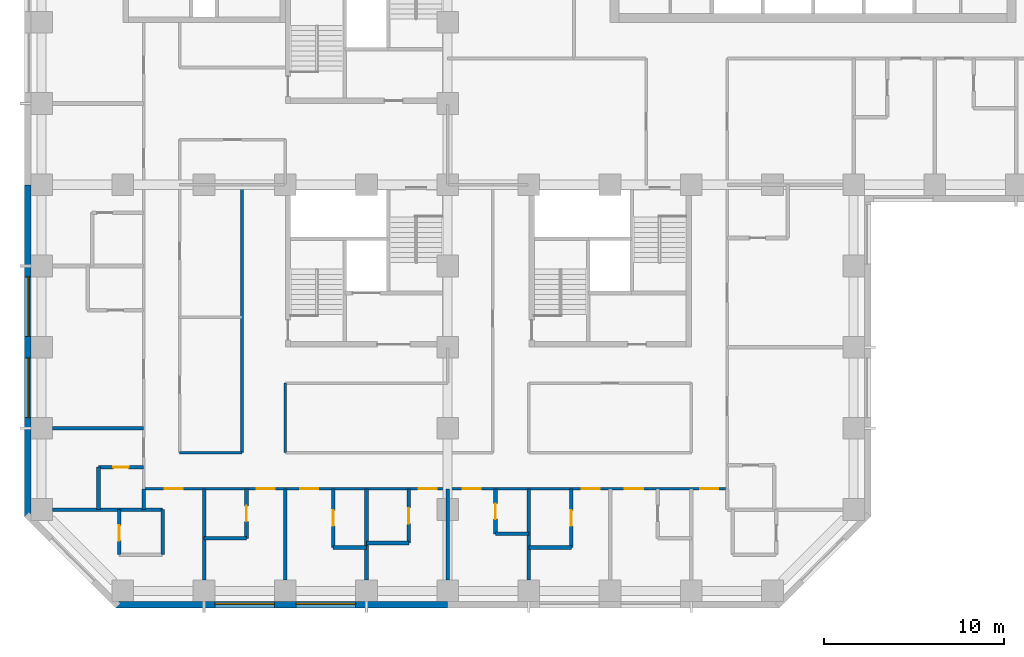
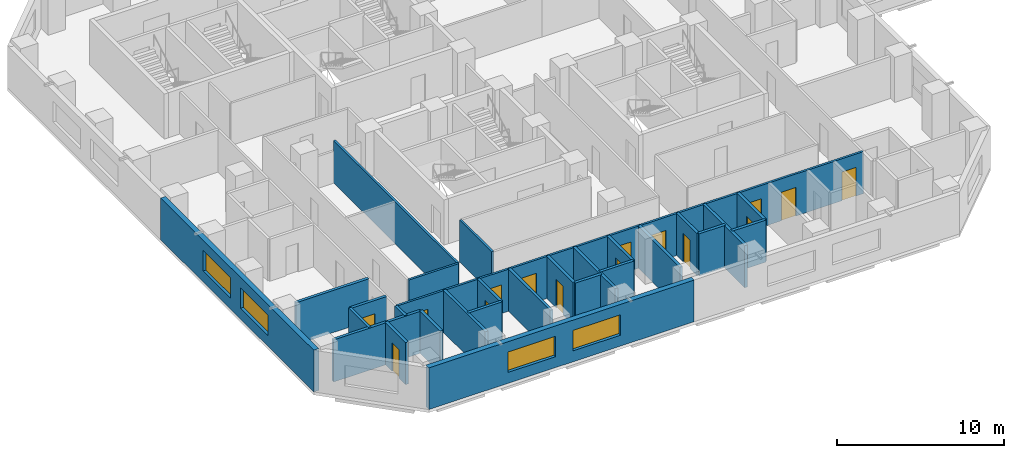
# One storey, part 3 of 13: 28 walls, 15 doors, 4 windows, 19 openings.
"""IFC4 building model written with IfcOpenShell, lengths in metres."""

from ifc_helpers import new_model, si_unit, direction, frame, frame_2d, origin, place, context, subcontext, project, spatial, rectangle, extrude, material, layer, layer_set, constituent, constituent_set, type_object, element, fill, save


model = new_model("IFC4")

# Units and contexts
model_context = context("Model", 3, precision=1e-05, world=origin(), true_north=direction((0.0, 1.0)))
body_context = subcontext(model_context, "Body", "Model", "MODEL_VIEW")
ifc_project = project(units=[si_unit("LENGTHUNIT", "METRE"), si_unit("AREAUNIT", "SQUARE_METRE"), si_unit("VOLUMEUNIT", "CUBIC_METRE"), si_unit("PLANEANGLEUNIT", "RADIAN"), si_unit("MASSUNIT", "GRAM", prefix="KILO")], contexts=[model_context])

# Site, building, storey
site_placement = place(None, origin())
site = spatial("IfcSite", under=ifc_project, at=site_placement, CompositionType="ELEMENT")
building_placement = place(site_placement, origin())
building = spatial("IfcBuilding", under=site, at=building_placement, Name="Quoin Convention Tower", CompositionType="ELEMENT")
storey_placement = place(building_placement, frame((0.0, 0.0, 49.5)))
storey = spatial("IfcBuildingStorey", under=building, at=storey_placement, Name="L12", CompositionType="ELEMENT", Elevation=49.5)

# Wall, openings, windows
ifc_material_1 = material(Name="Brick masonry", Category="masonry")
ifc_layer_1 = layer(ifc_material_1, 0.35009765625)
ifc_layer_set_1 = layer_set([ifc_layer_1], Name="Brick masonry")
wall_type_1 = type_object("IfcWallType", Name="Brick facade wall", PredefinedType="STANDARD", material=ifc_layer_set_1)
wall_1_placement = place(storey_placement, frame((17.6064453125, 17.22509765625, 0.0), z_axis=(0.0, 0.0, 1.0), x_axis=(1.0, 0.0, 0.0)))
wall_1 = element("IfcWall", 1, at=wall_1_placement, inside=storey, type_object=wall_type_1, Name="fw-L12-18000_18000", PredefinedType="STANDARD", context=body_context, shape_type="SweptSolid", body=[
    extrude(rectangle(XDim=18.3935546875, YDim=0.35009765625, at=frame_2d((9.19677734375, 0.0))), origin(), (0.0, 0.0, 1.0), 3.054931640625),
])
opening_1_placement = place(wall_1_placement, frame((5.493408203125, 0.0, 0.800048828125)))
opening_1 = element("IfcOpeningElement", 2, at=opening_1_placement, cuts=wall_1, Name="Opening W-01", PredefinedType="OPENING", context=body_context, shape_type="SweptSolid", body=[
    extrude(rectangle(XDim=3.300048828125, YDim=1.5, at=frame_2d((1.64990234375, 0.75))), frame((0.0, 0.18505859375, 0.0), z_axis=(0.0, -1.0, 0.0), x_axis=(1.0, 0.0, 0.0)), (0.0, 0.0, 1.0), 0.3701171875),
])
opening_2_placement = place(wall_1_placement, frame((9.993408203125, 0.0, 0.800048828125)))
opening_2 = element("IfcOpeningElement", 3, at=opening_2_placement, cuts=wall_1, Name="Opening W-01", PredefinedType="OPENING", context=body_context, shape_type="SweptSolid", body=[
    extrude(rectangle(XDim=3.300048828125, YDim=1.5, at=frame_2d((1.64990234375, 0.75))), frame((0.0, 0.18505859375, 0.0), z_axis=(0.0, -1.0, 0.0), x_axis=(1.0, 0.0, 0.0)), (0.0, 0.0, 1.0), 0.3701171875),
])
ifc_material_2 = material(Name="Aluminium", Category="aluminium")
ifc_constituent_1 = constituent(ifc_material_2, Name="Frame")
ifc_material_3 = material(Name="Insulated glass", Category="glass")
ifc_constituent_2 = constituent(ifc_material_3, Name="Glazing")
ifc_constituent_set = constituent_set(constituents=[ifc_constituent_1, ifc_constituent_2], Name="Aluminium")
window_type = type_object("IfcWindowType", Name="Hotel strip window", PartitioningType="DOUBLE_PANEL_VERTICAL", PredefinedType="WINDOW", material=ifc_constituent_set)
window_1_placement = place(opening_1_placement, origin())
window_1 = element("IfcWindow", 4, at=window_1_placement, inside=storey, type_object=window_type, Name="win-L12-24750_17225", OverallHeight=1.5, OverallWidth=3.300048828125, PartitioningType="SINGLE_PANEL", PredefinedType="WINDOW", context=body_context, shape_type="SweptSolid", body=[
    extrude(rectangle(XDim=3.300048828125, YDim=1.5, at=frame_2d((1.64990234375, 0.75))), frame((0.0, 0.0849609375, 0.0), z_axis=(0.0, -1.0, 0.0), x_axis=(1.0, 0.0, 0.0)), (0.0, 0.0, 1.0), 0.06005859375),
])
fill(opening_1, window_1)
window_2_placement = place(opening_2_placement, origin())
window_2 = element("IfcWindow", 5, at=window_2_placement, inside=storey, type_object=window_type, Name="win-L12-29250_17225", OverallHeight=1.5, OverallWidth=3.300048828125, PartitioningType="SINGLE_PANEL", PredefinedType="WINDOW", context=body_context, shape_type="SweptSolid", body=[
    extrude(rectangle(XDim=3.300048828125, YDim=1.5, at=frame_2d((1.64990234375, 0.75))), frame((0.0, 0.0849609375, 0.0), z_axis=(0.0, -1.0, 0.0), x_axis=(1.0, 0.0, 0.0)), (0.0, 0.0, 1.0), 0.06005859375),
])
fill(opening_2, window_2)

wall_2_placement = place(storey_placement, frame((12.72509765625, 40.5, 0.0), z_axis=(0.0, 0.0, 1.0), x_axis=(0.0, -1.0, 0.0)))
wall_2 = element("IfcWall", 6, at=wall_2_placement, inside=storey, type_object=wall_type_1, Name="fw-L12-13500_40500", PredefinedType="STANDARD", context=body_context, shape_type="SweptSolid", body=[
    extrude(rectangle(XDim=18.3935546875, YDim=0.35009765625, at=frame_2d((9.19677734375, 0.0))), origin(), (0.0, 0.0, 1.0), 3.054931640625),
])
opening_3_placement = place(wall_2_placement, frame((5.10009765625, 0.0, 0.800048828125)))
opening_3 = element("IfcOpeningElement", 7, at=opening_3_placement, cuts=wall_2, Name="Opening W-01", PredefinedType="OPENING", context=body_context, shape_type="SweptSolid", body=[
    extrude(rectangle(XDim=3.300048828125, YDim=1.5, at=frame_2d((1.64990234375, 0.75))), frame((0.0, 0.18505859375, 0.0), z_axis=(0.0, -1.0, 0.0), x_axis=(1.0, 0.0, 0.0)), (0.0, 0.0, 1.0), 0.3701171875),
])
opening_4_placement = place(wall_2_placement, frame((9.60009765625, 0.0, 0.800048828125)))
opening_4 = element("IfcOpeningElement", 8, at=opening_4_placement, cuts=wall_2, Name="Opening W-01", PredefinedType="OPENING", context=body_context, shape_type="SweptSolid", body=[
    extrude(rectangle(XDim=3.300048828125, YDim=1.5, at=frame_2d((1.64990234375, 0.75))), frame((0.0, 0.18505859375, 0.0), z_axis=(0.0, -1.0, 0.0), x_axis=(1.0, 0.0, 0.0)), (0.0, 0.0, 1.0), 0.3701171875),
])
window_3_placement = place(opening_3_placement, origin())
window_3 = element("IfcWindow", 9, at=window_3_placement, inside=storey, type_object=window_type, Name="win-L12-12725_33750", OverallHeight=1.5, OverallWidth=3.300048828125, PartitioningType="SINGLE_PANEL", PredefinedType="WINDOW", context=body_context, shape_type="SweptSolid", body=[
    extrude(rectangle(XDim=3.300048828125, YDim=1.5, at=frame_2d((1.64990234375, 0.75))), frame((0.0, 0.0849609375, 0.0), z_axis=(0.0, -1.0, 0.0), x_axis=(1.0, 0.0, 0.0)), (0.0, 0.0, 1.0), 0.06005859375),
])
fill(opening_3, window_3)
window_4_placement = place(opening_4_placement, origin())
window_4 = element("IfcWindow", 10, at=window_4_placement, inside=storey, type_object=window_type, Name="win-L12-12725_29250", OverallHeight=1.5, OverallWidth=3.300048828125, PartitioningType="SINGLE_PANEL", PredefinedType="WINDOW", context=body_context, shape_type="SweptSolid", body=[
    extrude(rectangle(XDim=3.300048828125, YDim=1.5, at=frame_2d((1.64990234375, 0.75))), frame((0.0, 0.0849609375, 0.0), z_axis=(0.0, -1.0, 0.0), x_axis=(1.0, 0.0, 0.0)), (0.0, 0.0, 1.0), 0.06005859375),
])
fill(opening_4, window_4)

# Walls
ifc_material_4 = material(Name="Concrete C50", Category="concrete")
ifc_layer_2 = layer(ifc_material_4, 0.199951171875)
ifc_layer_set_2 = layer_set([ifc_layer_2], Name="Concrete C50")
wall_type_2 = type_object("IfcWallType", Name="RC party wall", PredefinedType="SOLIDWALL", material=ifc_layer_set_2)
for number, where, z_axis, x_axis, name in (
    (11, (22.5, 18.60009765625, 0.0), (0.0, 0.0, 1.0), (0.0, 1.0, 0.0), "pw-L12-037"),
    (12, (27.0, 18.60009765625, 0.0), (0.0, 0.0, 1.0), (0.0, 1.0, 0.0), "pw-L12-038"),
    (13, (31.5, 18.60009765625, 0.0), (0.0, 0.0, 1.0), (0.0, 1.0, 0.0), "pw-L12-039"),
    (14, (36.0, 18.60009765625, 0.0), (0.0, 0.0, 1.0), (0.0, 1.0, 0.0), "pw-L12-040"),
    (15, (40.5, 18.60009765625, 0.0), (0.0, 0.0, 1.0), (0.0, 1.0, 0.0), "pw-L12-041"),
):
    element("IfcWall", number, at=place(storey_placement, frame(where, z_axis=z_axis, x_axis=x_axis)), inside=storey, type_object=wall_type_2, Name=name, PredefinedType="SOLIDWALL", context=body_context, shape_type="SweptSolid", body=[
        extrude(rectangle(XDim=5.0498046875, YDim=0.199951171875, at=frame_2d((2.52490234375, 0.0))), origin(), (0.0, 0.0, 1.0), 3.080078125),
    ])

# Wall, opening, door
wall_3_placement = place(storey_placement, frame((17.800048828125, 20.0, 0.0), z_axis=(0.0, 0.0, 1.0), x_axis=(0.0, 1.0, 0.0)))
wall_3 = element("IfcWall", 16, at=wall_3_placement, inside=storey, type_object=wall_type_2, Name="pw-L12-045", PredefinedType="SOLIDWALL", context=body_context, shape_type="SweptSolid", body=[
    extrude(rectangle(XDim=2.5, YDim=0.199951171875, at=frame_2d((1.25, 0.0))), origin(), (0.0, 0.0, 1.0), 3.080078125),
])
opening_5_placement = place(wall_3_placement, frame((0.77490234375, 0.0, 0.0)))
opening_5 = element("IfcOpeningElement", 17, at=opening_5_placement, cuts=wall_3, Name="Opening DHOTEL-A-39", PredefinedType="OPENING", context=body_context, shape_type="SweptSolid", body=[
    extrude(rectangle(XDim=0.85009765625, YDim=2.10009765625, at=frame_2d((0.425048828125, 1.050048828125))), frame((0.0, 0.10986328125, 0.0), z_axis=(0.0, -1.0, 0.0), x_axis=(1.0, 0.0, 0.0)), (0.0, 0.0, 1.0), 0.219970703125),
])
ifc_material_5 = material(Name="Steel door leaf", Category="steel")
door_type_1 = type_object("IfcDoorType", Name="Bathroom door", OperationType="SINGLE_SWING_LEFT", PredefinedType="DOOR", material=ifc_material_5)
door_1_placement = place(opening_5_placement, origin())
door_1 = element("IfcDoor", 18, at=door_1_placement, inside=storey, type_object=door_type_1, Name="dr-L12-054", OperationType="SINGLE_SWING_RIGHT", OverallHeight=2.10009765625, OverallWidth=0.85009765625, PredefinedType="DOOR", context=body_context, shape_type="SweptSolid", body=[
    extrude(rectangle(XDim=0.85009765625, YDim=2.10009765625, at=frame_2d((0.425048828125, 1.050048828125))), frame((0.0, 0.02490234375, 0.0), z_axis=(0.0, -1.0, 0.0), x_axis=(1.0, 0.0, 0.0)), (0.0, 0.0, 1.0), 0.050048828125),
])
fill(opening_5, door_1)

# Walls
wall_4_placement = place(storey_placement, frame((20.199951171875, 20.0, 0.0), z_axis=(0.0, 0.0, 1.0), x_axis=(0.0, 1.0, 0.0)))
element("IfcWall", 19, at=wall_4_placement, inside=storey, type_object=wall_type_2, Name="pw-L12-046", PredefinedType="SOLIDWALL", context=body_context, shape_type="SweptSolid", body=[
    extrude(rectangle(XDim=2.5, YDim=0.199951171875, at=frame_2d((1.25, 0.0))), origin(), (0.0, 0.0, 1.0), 3.080078125),
])
wall_5_placement = place(storey_placement, frame((29.64990234375, 20.39990234375, 0.0), z_axis=(0.0, 0.0, 1.0), x_axis=(1.0, 0.0, 0.0)))
element("IfcWall", 20, at=wall_5_placement, inside=storey, type_object=wall_type_2, Name="pw-L12-050", PredefinedType="SOLIDWALL", context=body_context, shape_type="SweptSolid", body=[
    extrude(rectangle(XDim=1.85009765625, YDim=0.199951171875, at=frame_2d((0.925048828125, 0.0))), origin(), (0.0, 0.0, 1.0), 3.080078125),
])

# Wall, opening, door
wall_6_placement = place(storey_placement, frame((29.64990234375, 20.39990234375, 0.0), z_axis=(0.0, 0.0, 1.0), x_axis=(0.0, 1.0, 0.0)))
wall_6 = element("IfcWall", 21, at=wall_6_placement, inside=storey, type_object=wall_type_2, Name="pw-L12-051", PredefinedType="SOLIDWALL", context=body_context, shape_type="SweptSolid", body=[
    extrude(rectangle(XDim=3.25, YDim=0.199951171875, at=frame_2d((1.625, 0.0))), origin(), (0.0, 0.0, 1.0), 3.080078125),
])
opening_6_placement = place(wall_6_placement, frame((1.199951171875, 0.0, 0.0)))
opening_6 = element("IfcOpeningElement", 22, at=opening_6_placement, cuts=wall_6, Name="Opening DHOTEL-A-41", PredefinedType="OPENING", context=body_context, shape_type="SweptSolid", body=[
    extrude(rectangle(XDim=0.85009765625, YDim=2.10009765625, at=frame_2d((0.425048828125, 1.050048828125))), frame((0.0, 0.10986328125, 0.0), z_axis=(0.0, -1.0, 0.0), x_axis=(1.0, 0.0, 0.0)), (0.0, 0.0, 1.0), 0.219970703125),
])
door_2_placement = place(opening_6_placement, origin())
door_2 = element("IfcDoor", 23, at=door_2_placement, inside=storey, type_object=door_type_1, Name="dr-L12-004", OperationType="SINGLE_SWING_RIGHT", OverallHeight=2.10009765625, OverallWidth=0.85009765625, PredefinedType="DOOR", context=body_context, shape_type="SweptSolid", body=[
    extrude(rectangle(XDim=0.85009765625, YDim=2.10009765625, at=frame_2d((0.425048828125, 1.050048828125))), frame((0.0, 0.02490234375, 0.0), z_axis=(0.0, -1.0, 0.0), x_axis=(1.0, 0.0, 0.0)), (0.0, 0.0, 1.0), 0.050048828125),
])
fill(opening_6, door_2)

# Wall
wall_7_placement = place(storey_placement, frame((40.5, 20.39990234375, 0.0), z_axis=(0.0, 0.0, 1.0), x_axis=(1.0, 0.0, 0.0)))
element("IfcWall", 24, at=wall_7_placement, inside=storey, type_object=wall_type_2, Name="pw-L12-052", PredefinedType="SOLIDWALL", context=body_context, shape_type="SweptSolid", body=[
    extrude(rectangle(XDim=2.35009765625, YDim=0.199951171875, at=frame_2d((1.175048828125, 0.0))), origin(), (0.0, 0.0, 1.0), 3.080078125),
])

# Wall, opening, door
wall_8_placement = place(storey_placement, frame((42.85009765625, 20.39990234375, 0.0), z_axis=(0.0, 0.0, 1.0), x_axis=(0.0, 1.0, 0.0)))
wall_8 = element("IfcWall", 25, at=wall_8_placement, inside=storey, type_object=wall_type_2, Name="pw-L12-053", PredefinedType="SOLIDWALL", context=body_context, shape_type="SweptSolid", body=[
    extrude(rectangle(XDim=3.25, YDim=0.199951171875, at=frame_2d((1.625, 0.0))), origin(), (0.0, 0.0, 1.0), 3.080078125),
])
opening_7_placement = place(wall_8_placement, frame((1.199951171875, 0.0, 0.0)))
opening_7 = element("IfcOpeningElement", 26, at=opening_7_placement, cuts=wall_8, Name="Opening DHOTEL-A-42", PredefinedType="OPENING", context=body_context, shape_type="SweptSolid", body=[
    extrude(rectangle(XDim=0.85009765625, YDim=2.10009765625, at=frame_2d((0.425048828125, 1.050048828125))), frame((0.0, 0.10986328125, 0.0), z_axis=(0.0, -1.0, 0.0), x_axis=(1.0, 0.0, 0.0)), (0.0, 0.0, 1.0), 0.219970703125),
])
door_3_placement = place(opening_7_placement, frame((0.85009765625, 0.0, 0.0), z_axis=(0.0, 0.0, 1.0), x_axis=(-1.0, 0.0, 0.0)))
door_3 = element("IfcDoor", 27, at=door_3_placement, inside=storey, type_object=door_type_1, Name="dr-L12-010", OperationType="SINGLE_SWING_LEFT", OverallHeight=2.10009765625, OverallWidth=0.85009765625, PredefinedType="DOOR", context=body_context, shape_type="SweptSolid", body=[
    extrude(rectangle(XDim=0.85009765625, YDim=2.10009765625, at=frame_2d((0.425048828125, 1.050048828125))), frame((0.0, 0.02490234375, 0.0), z_axis=(0.0, -1.0, 0.0), x_axis=(1.0, 0.0, 0.0)), (0.0, 0.0, 1.0), 0.050048828125),
])
fill(opening_7, door_3)

# Wall
wall_9_placement = place(storey_placement, frame((31.5, 20.64990234375, 0.0), z_axis=(0.0, 0.0, 1.0), x_axis=(1.0, 0.0, 0.0)))
element("IfcWall", 28, at=wall_9_placement, inside=storey, type_object=wall_type_2, Name="pw-L12-054", PredefinedType="SOLIDWALL", context=body_context, shape_type="SweptSolid", body=[
    extrude(rectangle(XDim=2.35009765625, YDim=0.199951171875, at=frame_2d((1.175048828125, 0.0))), origin(), (0.0, 0.0, 1.0), 3.080078125),
])

# Wall, opening, door
wall_10_placement = place(storey_placement, frame((33.85009765625, 20.64990234375, 0.0), z_axis=(0.0, 0.0, 1.0), x_axis=(0.0, 1.0, 0.0)))
wall_10 = element("IfcWall", 29, at=wall_10_placement, inside=storey, type_object=wall_type_2, Name="pw-L12-055", PredefinedType="SOLIDWALL", context=body_context, shape_type="SweptSolid", body=[
    extrude(rectangle(XDim=3.0, YDim=0.199951171875, at=frame_2d((1.5, 0.0))), origin(), (0.0, 0.0, 1.0), 3.080078125),
])
opening_8_placement = place(wall_10_placement, frame((1.074951171875, 0.0, 0.0)))
opening_8 = element("IfcOpeningElement", 30, at=opening_8_placement, cuts=wall_10, Name="Opening DHOTEL-A-43", PredefinedType="OPENING", context=body_context, shape_type="SweptSolid", body=[
    extrude(rectangle(XDim=0.85009765625, YDim=2.10009765625, at=frame_2d((0.425048828125, 1.050048828125))), frame((0.0, 0.10986328125, 0.0), z_axis=(0.0, -1.0, 0.0), x_axis=(1.0, 0.0, 0.0)), (0.0, 0.0, 1.0), 0.219970703125),
])
door_4_placement = place(opening_8_placement, frame((0.85009765625, 0.0, 0.0), z_axis=(0.0, 0.0, 1.0), x_axis=(-1.0, 0.0, 0.0)))
door_4 = element("IfcDoor", 31, at=door_4_placement, inside=storey, type_object=door_type_1, Name="dr-L12-006", OperationType="SINGLE_SWING_LEFT", OverallHeight=2.10009765625, OverallWidth=0.85009765625, PredefinedType="DOOR", context=body_context, shape_type="SweptSolid", body=[
    extrude(rectangle(XDim=0.85009765625, YDim=2.10009765625, at=frame_2d((0.425048828125, 1.050048828125))), frame((0.0, 0.02490234375, 0.0), z_axis=(0.0, -1.0, 0.0), x_axis=(1.0, 0.0, 0.0)), (0.0, 0.0, 1.0), 0.050048828125),
])
fill(opening_8, door_4)

# Wall
wall_11_placement = place(storey_placement, frame((22.5, 20.89990234375, 0.0), z_axis=(0.0, 0.0, 1.0), x_axis=(1.0, 0.0, 0.0)))
element("IfcWall", 32, at=wall_11_placement, inside=storey, type_object=wall_type_2, Name="pw-L12-056", PredefinedType="SOLIDWALL", context=body_context, shape_type="SweptSolid", body=[
    extrude(rectangle(XDim=2.35009765625, YDim=0.199951171875, at=frame_2d((1.175048828125, 0.0))), origin(), (0.0, 0.0, 1.0), 3.080078125),
])

# Wall, opening, door
wall_12_placement = place(storey_placement, frame((24.85009765625, 20.89990234375, 0.0), z_axis=(0.0, 0.0, 1.0), x_axis=(0.0, 1.0, 0.0)))
wall_12 = element("IfcWall", 33, at=wall_12_placement, inside=storey, type_object=wall_type_2, Name="pw-L12-057", PredefinedType="SOLIDWALL", context=body_context, shape_type="SweptSolid", body=[
    extrude(rectangle(XDim=2.75, YDim=0.199951171875, at=frame_2d((1.375, 0.0))), origin(), (0.0, 0.0, 1.0), 3.080078125),
])
opening_9_placement = place(wall_12_placement, frame((0.949951171875, 0.0, 0.0)))
opening_9 = element("IfcOpeningElement", 34, at=opening_9_placement, cuts=wall_12, Name="Opening DHOTEL-A-44", PredefinedType="OPENING", context=body_context, shape_type="SweptSolid", body=[
    extrude(rectangle(XDim=0.85009765625, YDim=2.10009765625, at=frame_2d((0.425048828125, 1.050048828125))), frame((0.0, 0.10986328125, 0.0), z_axis=(0.0, -1.0, 0.0), x_axis=(1.0, 0.0, 0.0)), (0.0, 0.0, 1.0), 0.219970703125),
])
door_5_placement = place(opening_9_placement, frame((0.85009765625, 0.0, 0.0), z_axis=(0.0, 0.0, 1.0), x_axis=(-1.0, 0.0, 0.0)))
door_5 = element("IfcDoor", 35, at=door_5_placement, inside=storey, type_object=door_type_1, Name="dr-L12-002", OperationType="SINGLE_SWING_LEFT", OverallHeight=2.10009765625, OverallWidth=0.85009765625, PredefinedType="DOOR", context=body_context, shape_type="SweptSolid", body=[
    extrude(rectangle(XDim=0.85009765625, YDim=2.10009765625, at=frame_2d((0.425048828125, 1.050048828125))), frame((0.0, 0.02490234375, 0.0), z_axis=(0.0, -1.0, 0.0), x_axis=(1.0, 0.0, 0.0)), (0.0, 0.0, 1.0), 0.050048828125),
])
fill(opening_9, door_5)

# Wall
wall_13_placement = place(storey_placement, frame((38.64990234375, 21.14990234375, 0.0), z_axis=(0.0, 0.0, 1.0), x_axis=(1.0, 0.0, 0.0)))
element("IfcWall", 36, at=wall_13_placement, inside=storey, type_object=wall_type_2, Name="pw-L12-060", PredefinedType="SOLIDWALL", context=body_context, shape_type="SweptSolid", body=[
    extrude(rectangle(XDim=1.85009765625, YDim=0.199951171875, at=frame_2d((0.925048828125, 0.0))), origin(), (0.0, 0.0, 1.0), 3.080078125),
])

# Wall, opening, door
wall_14_placement = place(storey_placement, frame((38.64990234375, 21.14990234375, 0.0), z_axis=(0.0, 0.0, 1.0), x_axis=(0.0, 1.0, 0.0)))
wall_14 = element("IfcWall", 37, at=wall_14_placement, inside=storey, type_object=wall_type_2, Name="pw-L12-061", PredefinedType="SOLIDWALL", context=body_context, shape_type="SweptSolid", body=[
    extrude(rectangle(XDim=2.5, YDim=0.199951171875, at=frame_2d((1.25, 0.0))), origin(), (0.0, 0.0, 1.0), 3.080078125),
])
opening_10_placement = place(wall_14_placement, frame((0.824951171875, 0.0, 0.0)))
opening_10 = element("IfcOpeningElement", 38, at=opening_10_placement, cuts=wall_14, Name="Opening DHOTEL-A-46", PredefinedType="OPENING", context=body_context, shape_type="SweptSolid", body=[
    extrude(rectangle(XDim=0.85009765625, YDim=2.10009765625, at=frame_2d((0.425048828125, 1.050048828125))), frame((0.0, 0.10986328125, 0.0), z_axis=(0.0, -1.0, 0.0), x_axis=(1.0, 0.0, 0.0)), (0.0, 0.0, 1.0), 0.219970703125),
])
door_6_placement = place(opening_10_placement, origin())
door_6 = element("IfcDoor", 39, at=door_6_placement, inside=storey, type_object=door_type_1, Name="dr-L12-008", OperationType="SINGLE_SWING_RIGHT", OverallHeight=2.10009765625, OverallWidth=0.85009765625, PredefinedType="DOOR", context=body_context, shape_type="SweptSolid", body=[
    extrude(rectangle(XDim=0.85009765625, YDim=2.10009765625, at=frame_2d((0.425048828125, 1.050048828125))), frame((0.0, 0.02490234375, 0.0), z_axis=(0.0, -1.0, 0.0), x_axis=(1.0, 0.0, 0.0)), (0.0, 0.0, 1.0), 0.050048828125),
])
fill(opening_10, door_6)

# Walls
wall_15_placement = place(storey_placement, frame((14.10009765625, 22.5, 0.0), z_axis=(0.0, 0.0, 1.0), x_axis=(1.0, 0.0, 0.0)))
element("IfcWall", 40, at=wall_15_placement, inside=storey, type_object=wall_type_2, Name="pw-L12-062", PredefinedType="SOLIDWALL", context=body_context, shape_type="SweptSolid", body=[
    extrude(rectangle(XDim=6.099853515625, YDim=0.199951171875, at=frame_2d((3.0498046875, 0.0))), origin(), (0.0, 0.0, 1.0), 3.080078125),
])
wall_16_placement = place(storey_placement, frame((16.64990234375, 22.5, 0.0), z_axis=(0.0, 0.0, 1.0), x_axis=(0.0, 1.0, 0.0)))
element("IfcWall", 41, at=wall_16_placement, inside=storey, type_object=wall_type_2, Name="pw-L12-063", PredefinedType="SOLIDWALL", context=body_context, shape_type="SweptSolid", body=[
    extrude(rectangle(XDim=2.35009765625, YDim=0.199951171875, at=frame_2d((1.175048828125, 0.0))), origin(), (0.0, 0.0, 1.0), 3.080078125),
])
wall_17_placement = place(storey_placement, frame((19.14990234375, 22.5, 0.0), z_axis=(0.0, 0.0, 1.0), x_axis=(0.0, 1.0, 0.0)))
element("IfcWall", 42, at=wall_17_placement, inside=storey, type_object=wall_type_2, Name="pw-L12-064", PredefinedType="SOLIDWALL", context=body_context, shape_type="SweptSolid", body=[
    extrude(rectangle(XDim=1.14990234375, YDim=0.199951171875, at=frame_2d((0.574951171875, 0.0))), origin(), (0.0, 0.0, 1.0), 3.080078125),
])

# Wall, opening, door
wall_18_placement = place(storey_placement, frame((16.64990234375, 24.85009765625, 0.0), z_axis=(0.0, 0.0, 1.0), x_axis=(1.0, 0.0, 0.0)))
wall_18 = element("IfcWall", 43, at=wall_18_placement, inside=storey, type_object=wall_type_2, Name="pw-L12-068", PredefinedType="SOLIDWALL", context=body_context, shape_type="SweptSolid", body=[
    extrude(rectangle(XDim=2.5, YDim=0.199951171875, at=frame_2d((1.25, 0.0))), origin(), (0.0, 0.0, 1.0), 3.080078125),
])
opening_11_placement = place(wall_18_placement, frame((0.824951171875, 0.0, 0.0)))
opening_11 = element("IfcOpeningElement", 44, at=opening_11_placement, cuts=wall_18, Name="Opening DHOTEL-A-47", PredefinedType="OPENING", context=body_context, shape_type="SweptSolid", body=[
    extrude(rectangle(XDim=0.85009765625, YDim=2.10009765625, at=frame_2d((0.425048828125, 1.050048828125))), frame((0.0, 0.10986328125, 0.0), z_axis=(0.0, -1.0, 0.0), x_axis=(1.0, 0.0, 0.0)), (0.0, 0.0, 1.0), 0.219970703125),
])
door_7_placement = place(opening_11_placement, frame((0.85009765625, 0.0, 0.0), z_axis=(0.0, 0.0, 1.0), x_axis=(-1.0, 0.0, 0.0)))
door_7 = element("IfcDoor", 45, at=door_7_placement, inside=storey, type_object=door_type_1, Name="dr-L12-014", OperationType="SINGLE_SWING_LEFT", OverallHeight=2.10009765625, OverallWidth=0.85009765625, PredefinedType="DOOR", context=body_context, shape_type="SweptSolid", body=[
    extrude(rectangle(XDim=0.85009765625, YDim=2.10009765625, at=frame_2d((0.425048828125, 1.050048828125))), frame((0.0, 0.02490234375, 0.0), z_axis=(0.0, -1.0, 0.0), x_axis=(1.0, 0.0, 0.0)), (0.0, 0.0, 1.0), 0.050048828125),
])
fill(opening_11, door_7)

# Wall
wall_19_placement = place(storey_placement, frame((14.10009765625, 27.0, 0.0), z_axis=(0.0, 0.0, 1.0), x_axis=(1.0, 0.0, 0.0)))
element("IfcWall", 46, at=wall_19_placement, inside=storey, type_object=wall_type_2, Name="pw-L12-070", PredefinedType="SOLIDWALL", context=body_context, shape_type="SweptSolid", body=[
    extrude(rectangle(XDim=5.0498046875, YDim=0.199951171875, at=frame_2d((2.52490234375, 0.0))), origin(), (0.0, 0.0, 1.0), 3.080078125),
])

# Wall, openings, doors
ifc_material_6 = material(Name="Plasterboard")
ifc_layer_3 = layer(ifc_material_6, 0.012451171875, Name="Finish")
ifc_material_7 = material(Name="Steel stud framing", Category="steel")
ifc_layer_4 = layer(ifc_material_7, 0.125, Name="Structure")
ifc_layer_5 = layer(ifc_material_6, 0.012451171875, Name="Finish")
ifc_layer_set_3 = layer_set([ifc_layer_3, ifc_layer_4, ifc_layer_5], Name="Steel stud framing")
wall_type_3 = type_object("IfcWallType", Name="corridor partition", PredefinedType="PARTITIONING", material=ifc_layer_set_3)
wall_20_placement = place(storey_placement, frame((19.14990234375, 23.64990234375, 0.0), z_axis=(0.0, 0.0, 1.0), x_axis=(1.0, 0.0, 0.0)))
wall_20 = element("IfcWall", 47, at=wall_20_placement, inside=storey, type_object=wall_type_3, Name="pw-L12-005", PredefinedType="PARTITIONING", context=body_context, shape_type="SweptSolid", body=[
    extrude(rectangle(XDim=32.35009765625, YDim=0.14990234375, at=frame_2d((16.175048828125, 0.0))), origin(), (0.0, 0.0, 1.0), 3.080078125),
])
opening_12_placement = place(wall_20_placement, frame((6.27490234375, 0.0, 0.0)))
opening_12 = element("IfcOpeningElement", 48, at=opening_12_placement, cuts=wall_20, Name="Opening DHOTEL-A-02", PredefinedType="OPENING", context=body_context, shape_type="SweptSolid", body=[
    extrude(rectangle(XDim=1.0, YDim=2.10009765625, at=frame_2d((0.5, 1.050048828125))), frame((0.0, 0.0849609375, 0.0), z_axis=(0.0, -1.0, 0.0), x_axis=(1.0, 0.0, 0.0)), (0.0, 0.0, 1.0), 0.169921875),
])
opening_13_placement = place(wall_20_placement, frame((8.675048828125, 0.0, 0.0)))
opening_13 = element("IfcOpeningElement", 49, at=opening_13_placement, cuts=wall_20, Name="Opening DHOTEL-A-03", PredefinedType="OPENING", context=body_context, shape_type="SweptSolid", body=[
    extrude(rectangle(XDim=1.0, YDim=2.10009765625, at=frame_2d((0.5, 1.050048828125))), frame((0.0, 0.0849609375, 0.0), z_axis=(0.0, -1.0, 0.0), x_axis=(1.0, 0.0, 0.0)), (0.0, 0.0, 1.0), 0.169921875),
])
opening_14_placement = place(wall_20_placement, frame((15.25, 0.0, 0.0)))
opening_14 = element("IfcOpeningElement", 50, at=opening_14_placement, cuts=wall_20, Name="Opening DHOTEL-A-04", PredefinedType="OPENING", context=body_context, shape_type="SweptSolid", body=[
    extrude(rectangle(XDim=1.0, YDim=2.10009765625, at=frame_2d((0.5, 1.050048828125))), frame((0.0, 0.0849609375, 0.0), z_axis=(0.0, -1.0, 0.0), x_axis=(1.0, 0.0, 0.0)), (0.0, 0.0, 1.0), 0.169921875),
])
opening_15_placement = place(wall_20_placement, frame((17.675048828125, 0.0, 0.0)))
opening_15 = element("IfcOpeningElement", 51, at=opening_15_placement, cuts=wall_20, Name="Opening DHOTEL-A-05", PredefinedType="OPENING", context=body_context, shape_type="SweptSolid", body=[
    extrude(rectangle(XDim=1.0, YDim=2.10009765625, at=frame_2d((0.5, 1.050048828125))), frame((0.0, 0.0849609375, 0.0), z_axis=(0.0, -1.0, 0.0), x_axis=(1.0, 0.0, 0.0)), (0.0, 0.0, 1.0), 0.169921875),
])
opening_16_placement = place(wall_20_placement, frame((24.27490234375, 0.0, 0.0)))
opening_16 = element("IfcOpeningElement", 52, at=opening_16_placement, cuts=wall_20, Name="Opening DHOTEL-A-06", PredefinedType="OPENING", context=body_context, shape_type="SweptSolid", body=[
    extrude(rectangle(XDim=1.0, YDim=2.10009765625, at=frame_2d((0.5, 1.050048828125))), frame((0.0, 0.0849609375, 0.0), z_axis=(0.0, -1.0, 0.0), x_axis=(1.0, 0.0, 0.0)), (0.0, 0.0, 1.0), 0.169921875),
])
opening_17_placement = place(wall_20_placement, frame((26.675048828125, 0.0, 0.0)))
opening_17 = element("IfcOpeningElement", 53, at=opening_17_placement, cuts=wall_20, Name="Opening DHOTEL-A-07", PredefinedType="OPENING", context=body_context, shape_type="SweptSolid", body=[
    extrude(rectangle(XDim=1.0, YDim=2.10009765625, at=frame_2d((0.5, 1.050048828125))), frame((0.0, 0.0849609375, 0.0), z_axis=(0.0, -1.0, 0.0), x_axis=(1.0, 0.0, 0.0)), (0.0, 0.0, 1.0), 0.169921875),
])
opening_18_placement = place(wall_20_placement, frame((1.175048828125, 0.0, 0.0)))
opening_18 = element("IfcOpeningElement", 54, at=opening_18_placement, cuts=wall_20, Name="Opening DHOTEL-A-01", PredefinedType="OPENING", context=body_context, shape_type="SweptSolid", body=[
    extrude(rectangle(XDim=1.0, YDim=2.10009765625, at=frame_2d((0.5, 1.050048828125))), frame((0.0, 0.0849609375, 0.0), z_axis=(0.0, -1.0, 0.0), x_axis=(1.0, 0.0, 0.0)), (0.0, 0.0, 1.0), 0.169921875),
])
opening_19_placement = place(wall_20_placement, frame((30.85009765625, 0.0, 0.0)))
opening_19 = element("IfcOpeningElement", 55, at=opening_19_placement, cuts=wall_20, Name="Opening DHOTEL-A-08", PredefinedType="OPENING", context=body_context, shape_type="SweptSolid", body=[
    extrude(rectangle(XDim=1.0, YDim=2.10009765625, at=frame_2d((0.5, 1.050048828125))), frame((0.0, 0.0849609375, 0.0), z_axis=(0.0, -1.0, 0.0), x_axis=(1.0, 0.0, 0.0)), (0.0, 0.0, 1.0), 0.169921875),
])
door_type_2 = type_object("IfcDoorType", Name="Hotel room door", OperationType="SINGLE_SWING_LEFT", PredefinedType="DOOR", material=ifc_material_5)
door_8_placement = place(opening_12_placement, frame((1.0, 0.0, 0.0), z_axis=(0.0, 0.0, 1.0), x_axis=(-1.0, 0.0, 0.0)))
door_8 = element("IfcDoor", 56, at=door_8_placement, inside=storey, type_object=door_type_2, Name="dr-L12-001", OperationType="SINGLE_SWING_LEFT", OverallHeight=2.10009765625, OverallWidth=1.0, PredefinedType="DOOR", context=body_context, shape_type="SweptSolid", body=[
    extrude(rectangle(XDim=1.0, YDim=2.10009765625, at=frame_2d((0.5, 1.050048828125))), frame((0.0, 0.02490234375, 0.0), z_axis=(0.0, -1.0, 0.0), x_axis=(1.0, 0.0, 0.0)), (0.0, 0.0, 1.0), 0.050048828125),
])
fill(opening_12, door_8)
door_9_placement = place(opening_13_placement, frame((1.0, 0.0, 0.0), z_axis=(0.0, 0.0, 1.0), x_axis=(-1.0, 0.0, 0.0)))
door_9 = element("IfcDoor", 57, at=door_9_placement, inside=storey, type_object=door_type_2, Name="dr-L12-003", OperationType="SINGLE_SWING_LEFT", OverallHeight=2.10009765625, OverallWidth=1.0, PredefinedType="DOOR", context=body_context, shape_type="SweptSolid", body=[
    extrude(rectangle(XDim=1.0, YDim=2.10009765625, at=frame_2d((0.5, 1.050048828125))), frame((0.0, 0.02490234375, 0.0), z_axis=(0.0, -1.0, 0.0), x_axis=(1.0, 0.0, 0.0)), (0.0, 0.0, 1.0), 0.050048828125),
])
fill(opening_13, door_9)
door_10_placement = place(opening_14_placement, frame((1.0, 0.0, 0.0), z_axis=(0.0, 0.0, 1.0), x_axis=(-1.0, 0.0, 0.0)))
door_10 = element("IfcDoor", 58, at=door_10_placement, inside=storey, type_object=door_type_2, Name="dr-L12-005", OperationType="SINGLE_SWING_RIGHT", OverallHeight=2.10009765625, OverallWidth=1.0, PredefinedType="DOOR", context=body_context, shape_type="SweptSolid", body=[
    extrude(rectangle(XDim=1.0, YDim=2.10009765625, at=frame_2d((0.5, 1.050048828125))), frame((0.0, 0.02490234375, 0.0), z_axis=(0.0, -1.0, 0.0), x_axis=(1.0, 0.0, 0.0)), (0.0, 0.0, 1.0), 0.050048828125),
])
fill(opening_14, door_10)
door_11_placement = place(opening_15_placement, frame((1.0, 0.0, 0.0), z_axis=(0.0, 0.0, 1.0), x_axis=(-1.0, 0.0, 0.0)))
door_11 = element("IfcDoor", 59, at=door_11_placement, inside=storey, type_object=door_type_2, Name="dr-L12-007", OperationType="SINGLE_SWING_LEFT", OverallHeight=2.10009765625, OverallWidth=1.0, PredefinedType="DOOR", context=body_context, shape_type="SweptSolid", body=[
    extrude(rectangle(XDim=1.0, YDim=2.10009765625, at=frame_2d((0.5, 1.050048828125))), frame((0.0, 0.02490234375, 0.0), z_axis=(0.0, -1.0, 0.0), x_axis=(1.0, 0.0, 0.0)), (0.0, 0.0, 1.0), 0.050048828125),
])
fill(opening_15, door_11)
door_12_placement = place(opening_16_placement, frame((1.0, 0.0, 0.0), z_axis=(0.0, 0.0, 1.0), x_axis=(-1.0, 0.0, 0.0)))
door_12 = element("IfcDoor", 60, at=door_12_placement, inside=storey, type_object=door_type_2, Name="dr-L12-009", OperationType="SINGLE_SWING_LEFT", OverallHeight=2.10009765625, OverallWidth=1.0, PredefinedType="DOOR", context=body_context, shape_type="SweptSolid", body=[
    extrude(rectangle(XDim=1.0, YDim=2.10009765625, at=frame_2d((0.5, 1.050048828125))), frame((0.0, 0.02490234375, 0.0), z_axis=(0.0, -1.0, 0.0), x_axis=(1.0, 0.0, 0.0)), (0.0, 0.0, 1.0), 0.050048828125),
])
fill(opening_16, door_12)
door_13_placement = place(opening_17_placement, frame((1.0, 0.0, 0.0), z_axis=(0.0, 0.0, 1.0), x_axis=(-1.0, 0.0, 0.0)))
door_13 = element("IfcDoor", 61, at=door_13_placement, inside=storey, type_object=door_type_2, Name="dr-L12-011", OperationType="SINGLE_SWING_LEFT", OverallHeight=2.10009765625, OverallWidth=1.0, PredefinedType="DOOR", context=body_context, shape_type="SweptSolid", body=[
    extrude(rectangle(XDim=1.0, YDim=2.10009765625, at=frame_2d((0.5, 1.050048828125))), frame((0.0, 0.02490234375, 0.0), z_axis=(0.0, -1.0, 0.0), x_axis=(1.0, 0.0, 0.0)), (0.0, 0.0, 1.0), 0.050048828125),
])
fill(opening_17, door_13)
door_14_placement = place(opening_18_placement, frame((1.0, 0.0, 0.0), z_axis=(0.0, 0.0, 1.0), x_axis=(-1.0, 0.0, 0.0)))
door_14 = element("IfcDoor", 62, at=door_14_placement, inside=storey, type_object=door_type_2, Name="dr-L12-053", OperationType="SINGLE_SWING_LEFT", OverallHeight=2.10009765625, OverallWidth=1.0, PredefinedType="DOOR", context=body_context, shape_type="SweptSolid", body=[
    extrude(rectangle(XDim=1.0, YDim=2.10009765625, at=frame_2d((0.5, 1.050048828125))), frame((0.0, 0.02490234375, 0.0), z_axis=(0.0, -1.0, 0.0), x_axis=(1.0, 0.0, 0.0)), (0.0, 0.0, 1.0), 0.050048828125),
])
fill(opening_18, door_14)
door_15_placement = place(opening_19_placement, frame((1.0, 0.0, 0.0), z_axis=(0.0, 0.0, 1.0), x_axis=(-1.0, 0.0, 0.0)))
door_15 = element("IfcDoor", 63, at=door_15_placement, inside=storey, type_object=door_type_2, Name="dr-L12-055", OperationType="SINGLE_SWING_LEFT", OverallHeight=2.10009765625, OverallWidth=1.0, PredefinedType="DOOR", context=body_context, shape_type="SweptSolid", body=[
    extrude(rectangle(XDim=1.0, YDim=2.10009765625, at=frame_2d((0.5, 1.050048828125))), frame((0.0, 0.02490234375, 0.0), z_axis=(0.0, -1.0, 0.0), x_axis=(1.0, 0.0, 0.0)), (0.0, 0.0, 1.0), 0.050048828125),
])
fill(opening_19, door_15)

# Walls
wall_21_placement = place(storey_placement, frame((21.14990234375, 25.64990234375, 0.0), z_axis=(0.0, 0.0, 1.0), x_axis=(1.0, 0.0, 0.0)))
element("IfcWall", 64, at=wall_21_placement, inside=storey, type_object=wall_type_3, Name="pw-L12-008", PredefinedType="PARTITIONING", context=body_context, shape_type="SweptSolid", body=[
    extrude(rectangle(XDim=3.4501953125, YDim=0.14990234375, at=frame_2d((1.72509765625, 0.0))), origin(), (0.0, 0.0, 1.0), 3.080078125),
])
wall_22_placement = place(storey_placement, frame((24.60009765625, 25.64990234375, 0.0), z_axis=(0.0, 0.0, 1.0), x_axis=(0.0, 1.0, 0.0)))
element("IfcWall", 65, at=wall_22_placement, inside=storey, type_object=wall_type_3, Name="pw-L12-010", PredefinedType="PARTITIONING", context=body_context, shape_type="SweptSolid", body=[
    extrude(rectangle(XDim=14.85009765625, YDim=0.14990234375, at=frame_2d((7.425048828125, 0.0))), origin(), (0.0, 0.0, 1.0), 3.080078125),
])
wall_23_placement = place(storey_placement, frame((27.0, 25.64990234375, 0.0), z_axis=(0.0, 0.0, 1.0), x_axis=(0.0, 1.0, 0.0)))
element("IfcWall", 66, at=wall_23_placement, inside=storey, type_object=wall_type_3, Name="pw-L12-012", PredefinedType="PARTITIONING", context=body_context, shape_type="SweptSolid", body=[
    extrude(rectangle(XDim=3.85009765625, YDim=0.14990234375, at=frame_2d((1.925048828125, 0.0))), origin(), (0.0, 0.0, 1.0), 3.080078125),
])

save(model, "model.ifc")
